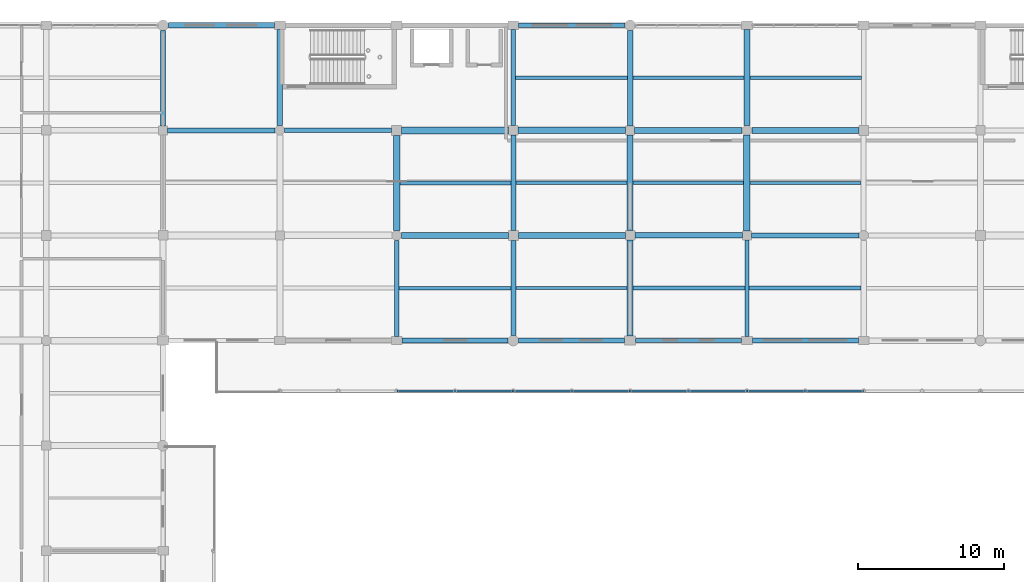
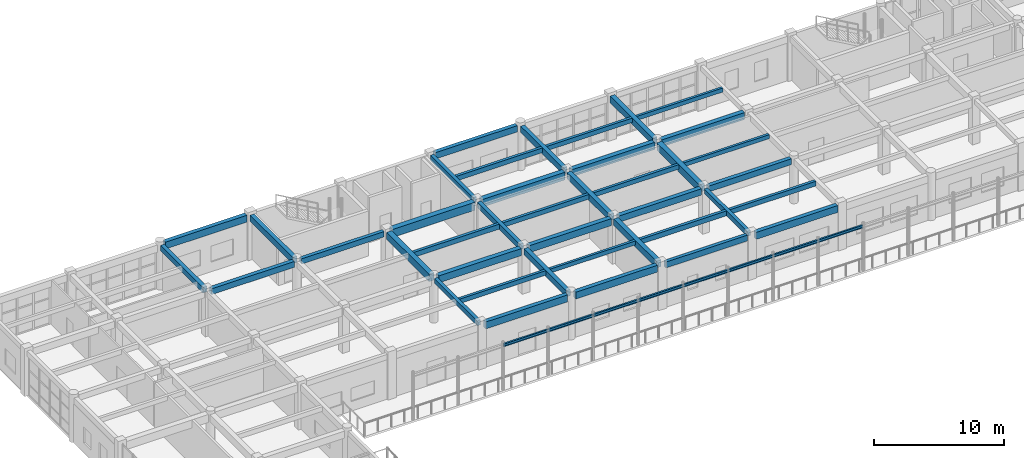
# One storey, part 78 of 160: 44 beams.
"""IFC4 building model written with IfcOpenShell, lengths in metres."""

from ifc_helpers import new_model, si_unit, direction, frame, origin, origin_2d, place, context, subcontext, project, spatial, rectangle, i_section, extrude, material, material_profile, profile_set, type_object, element, save


model = new_model("IFC4")

# Units and contexts
model_context = context("Model", 3, precision=1e-05, world=origin(), true_north=direction((0.0, 1.0)))
body_context = subcontext(model_context, "Body", "Model", "MODEL_VIEW")
ifc_project = project(units=[si_unit("LENGTHUNIT", "METRE"), si_unit("AREAUNIT", "SQUARE_METRE"), si_unit("VOLUMEUNIT", "CUBIC_METRE"), si_unit("PLANEANGLEUNIT", "RADIAN"), si_unit("MASSUNIT", "GRAM", prefix="KILO")], contexts=[model_context])

# Site, building, storey
site_placement = place(None, origin())
site = spatial("IfcSite", under=ifc_project, at=site_placement, CompositionType="ELEMENT")
building_placement = place(site_placement, origin())
building = spatial("IfcBuilding", under=site, at=building_placement, Name="Kharva Crest Polytechnic", CompositionType="ELEMENT")
storey_placement = place(building_placement, frame((0.0, 0.0, 4.5)))
storey = spatial("IfcBuildingStorey", under=building, at=storey_placement, Name="L01", CompositionType="ELEMENT", Elevation=4.5)

# Beams
ifc_material_1 = material(Name="Concrete C35/45", Category="concrete")
ifc_material_profile_1 = material_profile(ifc_material_1, rectangle(XDim=0.300048828125, YDim=0.449951171875, at=origin_2d()), Name="RECT 300 X 450")
ifc_profile_set_1 = profile_set([ifc_material_profile_1], Name="Concrete C35/45")
beam_type_1 = type_object("IfcBeamType", Name="BM-RC-300X450", PredefinedType="BEAM", material=ifc_profile_set_1)
beam_1_placement = place(storey_placement, frame((64.0, 100.675048828125, 3.9951171875), z_axis=(0.0, 1.0, 0.0), x_axis=(-1.0, 0.0, 0.0)))
element("IfcBeam", 1, at=beam_1_placement, inside=storey, type_object=beam_type_1, Name="L01 Girder 9/P-Q", PredefinedType="BEAM", context=body_context, shape_type="SweptSolid", body=[
    extrude(rectangle(XDim=0.300048828125, YDim=0.449951171875, at=origin_2d()), origin(), (0.0, 0.0, 1.0), 6.594970703125),
])
beam_2_placement = place(storey_placement, frame((88.0, 100.675048828125, 3.9951171875), z_axis=(0.0, 1.0, 0.0), x_axis=(-1.0, 0.0, 0.0)))
element("IfcBeam", 2, at=beam_2_placement, inside=storey, type_object=beam_type_1, Name="L01 Girder 12/P-Q", PredefinedType="BEAM", context=body_context, shape_type="SweptSolid", body=[
    extrude(rectangle(XDim=0.300048828125, YDim=0.449951171875, at=origin_2d()), origin(), (0.0, 0.0, 1.0), 6.614990234375),
])
ifc_material_profile_2 = material_profile(ifc_material_1, rectangle(XDim=0.300048828125, YDim=0.47998046875, at=origin_2d()), Name="RECT 300 X 480")
ifc_profile_set_2 = profile_set([ifc_material_profile_2], Name="Concrete C35/45")
beam_type_2 = type_object("IfcBeamType", Name="BM-RC-300X480", PredefinedType="BEAM", material=ifc_profile_set_2)
beam_3_placement = place(storey_placement, frame((72.0, 115.125, 3.97998046875), z_axis=(0.0, 1.0, 0.0), x_axis=(-1.0, 0.0, 0.0)))
element("IfcBeam", 3, at=beam_3_placement, inside=storey, type_object=beam_type_2, Name="L01 Girder 10/R-S", PredefinedType="BEAM", context=body_context, shape_type="SweptSolid", body=[
    extrude(rectangle(XDim=0.300048828125, YDim=0.47998046875, at=origin_2d()), origin(), (0.0, 0.0, 1.0), 6.60009765625),
])
ifc_material_profile_3 = material_profile(ifc_material_1, rectangle(XDim=0.320068359375, YDim=0.5, at=origin_2d()), Name="RECT 320 X 500")
ifc_profile_set_3 = profile_set([ifc_material_profile_3], Name="Concrete C35/45")
beam_type_3 = type_object("IfcBeamType", Name="BM-RC-320X500", PredefinedType="BEAM", material=ifc_profile_set_3)
beam_4_placement = place(storey_placement, frame((56.330078125, 114.800048828125, 3.969970703125), z_axis=(1.0, 0.0, 0.0), x_axis=(0.0, 1.0, 0.0)))
element("IfcBeam", 4, at=beam_4_placement, inside=storey, type_object=beam_type_3, Name="L01 Beam R/8-9", PredefinedType="BEAM", context=body_context, shape_type="SweptSolid", body=[
    extrude(rectangle(XDim=0.320068359375, YDim=0.5, at=origin_2d()), origin(), (0.0, 0.0, 1.0), 7.329833984375),
])
ifc_material_profile_4 = material_profile(ifc_material_1, rectangle(XDim=0.340087890625, YDim=0.52001953125, at=origin_2d()), Name="RECT 340 X 520")
ifc_profile_set_4 = profile_set([ifc_material_profile_4], Name="Concrete C35/45")
beam_type_4 = type_object("IfcBeamType", Name="BM-RC-340X520", PredefinedType="BEAM", material=ifc_profile_set_4)
beam_5_placement = place(storey_placement, frame((48.0, 115.110107421875, 3.9599609375), z_axis=(0.0, 1.0, 0.0), x_axis=(-1.0, 0.0, 0.0)))
element("IfcBeam", 5, at=beam_5_placement, inside=storey, type_object=beam_type_4, Name="L01 Girder 7/R-S", PredefinedType="BEAM", context=body_context, shape_type="SweptSolid", body=[
    extrude(rectangle(XDim=0.340087890625, YDim=0.52001953125, at=origin_2d()), origin(), (0.0, 0.0, 1.0), 6.52978515625),
])
beam_6_placement = place(storey_placement, frame((72.0, 107.93994140625, 3.9599609375), z_axis=(0.0, 1.0, 0.0), x_axis=(-1.0, 0.0, 0.0)))
element("IfcBeam", 6, at=beam_6_placement, inside=storey, type_object=beam_type_4, Name="L01 Girder 10/Q-R", PredefinedType="BEAM", context=body_context, shape_type="SweptSolid", body=[
    extrude(rectangle(XDim=0.340087890625, YDim=0.52001953125, at=origin_2d()), origin(), (0.0, 0.0, 1.0), 6.53515625),
])
ifc_material_profile_5 = material_profile(ifc_material_1, rectangle(XDim=0.35009765625, YDim=0.550048828125, at=origin_2d()), Name="RECT 350 X 550")
ifc_profile_set_5 = profile_set([ifc_material_profile_5], Name="Concrete C35/45")
beam_type_5 = type_object("IfcBeamType", Name="BM-RC-350X550", PredefinedType="BEAM", material=ifc_profile_set_5)
for number, where, z_axis, x_axis, name in (
    (7, (88.31005859375, 107.60009765625, 3.945068359375), (1.0, 0.0, 0.0), (0.0, 1.0, 0.0), "L01 Beam Q/12-13"),
    (8, (48.31005859375, 114.800048828125, 3.945068359375), (1.0, 0.0, 0.0), (0.0, 1.0, 0.0), "L01 Beam R/7-8"),
):
    element("IfcBeam", number, at=place(storey_placement, frame(where, z_axis=z_axis, x_axis=x_axis)), inside=storey, type_object=beam_type_5, Name=name, PredefinedType="BEAM", context=body_context, shape_type="SweptSolid", body=[
        extrude(rectangle(XDim=0.35009765625, YDim=0.550048828125, at=origin_2d()), origin(), (0.0, 0.0, 1.0), 7.35986328125),
    ])
ifc_material_profile_6 = material_profile(ifc_material_1, rectangle(XDim=0.360107421875, YDim=0.580078125, at=origin_2d()), Name="RECT 360 X 580")
ifc_profile_set_6 = profile_set([ifc_material_profile_6], Name="Concrete C35/45")
beam_type_6 = type_object("IfcBeamType", Name="BM-RC-360X580", PredefinedType="BEAM", material=ifc_profile_set_6)
beam_7_placement = place(storey_placement, frame((56.0, 115.1298828125, 3.929931640625), z_axis=(0.0, 1.0, 0.0), x_axis=(-1.0, 0.0, 0.0)))
element("IfcBeam", 9, at=beam_7_placement, inside=storey, type_object=beam_type_6, Name="L01 Girder 8/R-S", PredefinedType="BEAM", context=body_context, shape_type="SweptSolid", body=[
    extrude(rectangle(XDim=0.360107421875, YDim=0.580078125, at=origin_2d()), origin(), (0.0, 0.0, 1.0), 6.570068359375),
])
beam_8_placement = place(storey_placement, frame((72.0, 100.760009765625, 3.929931640625), z_axis=(0.0, 1.0, 0.0), x_axis=(-1.0, 0.0, 0.0)))
element("IfcBeam", 10, at=beam_8_placement, inside=storey, type_object=beam_type_6, Name="L01 Girder 10/P-Q", PredefinedType="BEAM", context=body_context, shape_type="SweptSolid", body=[
    extrude(rectangle(XDim=0.360107421875, YDim=0.580078125, at=origin_2d()), origin(), (0.0, 0.0, 1.0), 6.5),
])
beam_9_placement = place(storey_placement, frame((80.0, 115.110107421875, 3.929931640625), z_axis=(0.0, 1.0, 0.0), x_axis=(-1.0, 0.0, 0.0)))
element("IfcBeam", 11, at=beam_9_placement, inside=storey, type_object=beam_type_6, Name="L01 Girder 11/R-S", PredefinedType="BEAM", context=body_context, shape_type="SweptSolid", body=[
    extrude(rectangle(XDim=0.360107421875, YDim=0.580078125, at=origin_2d()), origin(), (0.0, 0.0, 1.0), 6.52978515625),
])
ifc_material_profile_7 = material_profile(ifc_material_1, rectangle(XDim=0.3798828125, YDim=0.60009765625, at=origin_2d()), Name="RECT 380 X 600")
ifc_profile_set_7 = profile_set([ifc_material_profile_7], Name="Concrete C35/45")
beam_type_7 = type_object("IfcBeamType", Name="BM-RC-380X600", PredefinedType="BEAM", material=ifc_profile_set_7)
beam_10_placement = place(storey_placement, frame((80.324951171875, 107.60009765625, 3.919921875), z_axis=(1.0, 0.0, 0.0), x_axis=(0.0, 1.0, 0.0)))
element("IfcBeam", 12, at=beam_10_placement, inside=storey, type_object=beam_type_7, Name="L01 Beam Q/11-12", PredefinedType="BEAM", context=body_context, shape_type="SweptSolid", body=[
    extrude(rectangle(XDim=0.3798828125, YDim=0.60009765625, at=origin_2d()), origin(), (0.0, 0.0, 1.0), 7.364990234375),
])
ifc_material_profile_8 = material_profile(ifc_material_1, rectangle(XDim=0.39990234375, YDim=0.580078125, at=origin_2d()), Name="RECT 400 X 580")
ifc_profile_set_8 = profile_set([ifc_material_profile_8], Name="Concrete C35/45")
beam_type_8 = type_object("IfcBeamType", Name="BM-RC-400X580", PredefinedType="BEAM", material=ifc_profile_set_8)
beam_11_placement = place(storey_placement, frame((80.0, 107.925048828125, 3.929931640625), z_axis=(0.0, 1.0, 0.0), x_axis=(-1.0, 0.0, 0.0)))
element("IfcBeam", 13, at=beam_11_placement, inside=storey, type_object=beam_type_8, Name="L01 Girder 11/Q-R", PredefinedType="BEAM", context=body_context, shape_type="SweptSolid", body=[
    extrude(rectangle(XDim=0.39990234375, YDim=0.580078125, at=origin_2d()), origin(), (0.0, 0.0, 1.0), 6.56494140625),
])
ifc_material_profile_9 = material_profile(ifc_material_1, rectangle(XDim=0.39990234375, YDim=0.6201171875, at=origin_2d()), Name="RECT 400 X 620")
ifc_profile_set_9 = profile_set([ifc_material_profile_9], Name="Concrete C35/45")
beam_type_9 = type_object("IfcBeamType", Name="BM-RC-400X620", PredefinedType="BEAM", material=ifc_profile_set_9)
beam_12_placement = place(storey_placement, frame((80.0, 100.699951171875, 3.909912109375), z_axis=(0.0, 1.0, 0.0), x_axis=(-1.0, 0.0, 0.0)))
element("IfcBeam", 14, at=beam_12_placement, inside=storey, type_object=beam_type_9, Name="L01 Girder 11/P-Q", PredefinedType="BEAM", context=body_context, shape_type="SweptSolid", body=[
    extrude(rectangle(XDim=0.39990234375, YDim=0.6201171875, at=origin_2d()), origin(), (0.0, 0.0, 1.0), 6.574951171875),
])
beam_13_placement = place(storey_placement, frame((88.0, 115.1298828125, 3.909912109375), z_axis=(0.0, 1.0, 0.0), x_axis=(-1.0, 0.0, 0.0)))
element("IfcBeam", 15, at=beam_13_placement, inside=storey, type_object=beam_type_9, Name="L01 Girder 12/R-S", PredefinedType="BEAM", context=body_context, shape_type="SweptSolid", body=[
    extrude(rectangle(XDim=0.39990234375, YDim=0.6201171875, at=origin_2d()), origin(), (0.0, 0.0, 1.0), 6.570068359375),
])
ifc_material_profile_10 = material_profile(ifc_material_1, rectangle(XDim=0.39990234375, YDim=0.64990234375, at=origin_2d()), Name="RECT 400 X 650")
ifc_profile_set_10 = profile_set([ifc_material_profile_10], Name="Concrete C35/45")
beam_type_10 = type_object("IfcBeamType", Name="BM-RC-400X650", PredefinedType="BEAM", material=ifc_profile_set_10)
beam_14_placement = place(storey_placement, frame((72.340087890625, 107.60009765625, 3.89501953125), z_axis=(1.0, 0.0, 0.0), x_axis=(0.0, 1.0, 0.0)))
element("IfcBeam", 16, at=beam_14_placement, inside=storey, type_object=beam_type_10, Name="L01 Beam Q/10-11", PredefinedType="BEAM", context=body_context, shape_type="SweptSolid", body=[
    extrude(rectangle(XDim=0.39990234375, YDim=0.64990234375, at=origin_2d()), origin(), (0.0, 0.0, 1.0), 7.3349609375),
])
beam_15_placement = place(storey_placement, frame((88.330078125, 114.800048828125, 3.89501953125), z_axis=(1.0, 0.0, 0.0), x_axis=(0.0, 1.0, 0.0)))
element("IfcBeam", 17, at=beam_15_placement, inside=storey, type_object=beam_type_10, Name="L01 Beam R/12-13", PredefinedType="BEAM", context=body_context, shape_type="SweptSolid", body=[
    extrude(rectangle(XDim=0.39990234375, YDim=0.64990234375, at=origin_2d()), origin(), (0.0, 0.0, 1.0), 7.329833984375),
])
ifc_material_profile_11 = material_profile(ifc_material_1, rectangle(XDim=0.419921875, YDim=0.659912109375, at=origin_2d()), Name="RECT 420 X 660")
ifc_profile_set_11 = profile_set([ifc_material_profile_11], Name="Concrete C35/45")
beam_type_11 = type_object("IfcBeamType", Name="BM-RC-420X660", PredefinedType="BEAM", material=ifc_profile_set_11)
beam_16_placement = place(storey_placement, frame((64.330078125, 107.60009765625, 3.889892578125), z_axis=(1.0, 0.0, 0.0), x_axis=(0.0, 1.0, 0.0)))
element("IfcBeam", 18, at=beam_16_placement, inside=storey, type_object=beam_type_11, Name="L01 Beam Q/9-10", PredefinedType="BEAM", context=body_context, shape_type="SweptSolid", body=[
    extrude(rectangle(XDim=0.419921875, YDim=0.659912109375, at=origin_2d()), origin(), (0.0, 0.0, 1.0), 7.329833984375),
])
beam_17_placement = place(storey_placement, frame((80.31005859375, 114.800048828125, 3.889892578125), z_axis=(1.0, 0.0, 0.0), x_axis=(0.0, 1.0, 0.0)))
element("IfcBeam", 19, at=beam_17_placement, inside=storey, type_object=beam_type_11, Name="L01 Beam R/11-12", PredefinedType="BEAM", context=body_context, shape_type="SweptSolid", body=[
    extrude(rectangle(XDim=0.419921875, YDim=0.659912109375, at=origin_2d()), origin(), (0.0, 0.0, 1.0), 7.35986328125),
])
ifc_material_profile_12 = material_profile(ifc_material_1, rectangle(XDim=0.449951171875, YDim=0.679931640625, at=origin_2d()), Name="RECT 450 X 680")
ifc_profile_set_12 = profile_set([ifc_material_profile_12], Name="Concrete C35/45")
beam_type_12 = type_object("IfcBeamType", Name="BM-RC-450X680", PredefinedType="BEAM", material=ifc_profile_set_12)
beam_18_placement = place(storey_placement, frame((64.0, 107.929931640625, 3.8798828125), z_axis=(0.0, 1.0, 0.0), x_axis=(-1.0, 0.0, 0.0)))
element("IfcBeam", 20, at=beam_18_placement, inside=storey, type_object=beam_type_12, Name="L01 Girder 9/Q-R", PredefinedType="BEAM", context=body_context, shape_type="SweptSolid", body=[
    extrude(rectangle(XDim=0.449951171875, YDim=0.679931640625, at=origin_2d()), origin(), (0.0, 0.0, 1.0), 6.530029296875),
])
beam_19_placement = place(storey_placement, frame((88.0, 107.909912109375, 3.8798828125), z_axis=(0.0, 1.0, 0.0), x_axis=(-1.0, 0.0, 0.0)))
element("IfcBeam", 21, at=beam_19_placement, inside=storey, type_object=beam_type_12, Name="L01 Girder 12/Q-R", PredefinedType="BEAM", context=body_context, shape_type="SweptSolid", body=[
    extrude(rectangle(XDim=0.449951171875, YDim=0.679931640625, at=origin_2d()), origin(), (0.0, 0.0, 1.0), 6.56005859375),
])
ifc_material_profile_13 = material_profile(ifc_material_1, rectangle(XDim=0.449951171875, YDim=0.719970703125, at=origin_2d()), Name="RECT 450 X 720")
ifc_profile_set_13 = profile_set([ifc_material_profile_13], Name="Concrete C35/45")
beam_type_13 = type_object("IfcBeamType", Name="BM-RC-450X720", PredefinedType="BEAM", material=ifc_profile_set_13)
beam_20_placement = place(storey_placement, frame((72.324951171875, 114.800048828125, 3.860107421875), z_axis=(1.0, 0.0, 0.0), x_axis=(0.0, 1.0, 0.0)))
element("IfcBeam", 22, at=beam_20_placement, inside=storey, type_object=beam_type_13, Name="L01 Beam R/10-11", PredefinedType="BEAM", context=body_context, shape_type="SweptSolid", body=[
    extrude(rectangle(XDim=0.449951171875, YDim=0.719970703125, at=origin_2d()), origin(), (0.0, 0.0, 1.0), 7.364990234375),
])
ifc_material_profile_14 = material_profile(ifc_material_1, rectangle(XDim=0.47998046875, YDim=0.75, at=origin_2d()), Name="RECT 480 X 750")
ifc_profile_set_14 = profile_set([ifc_material_profile_14], Name="Concrete C35/45")
beam_type_14 = type_object("IfcBeamType", Name="BM-RC-480X750", PredefinedType="BEAM", material=ifc_profile_set_14)
beam_21_placement = place(storey_placement, frame((64.340087890625, 114.800048828125, 3.844970703125), z_axis=(1.0, 0.0, 0.0), x_axis=(0.0, 1.0, 0.0)))
element("IfcBeam", 23, at=beam_21_placement, inside=storey, type_object=beam_type_14, Name="L01 Beam R/9-10", PredefinedType="BEAM", context=body_context, shape_type="SweptSolid", body=[
    extrude(rectangle(XDim=0.47998046875, YDim=0.75, at=origin_2d()), origin(), (0.0, 0.0, 1.0), 7.3349609375),
])
ifc_material_2 = material(Name="Steel S355", Category="steel")
ifc_material_profile_15 = material_profile(ifc_material_2, i_section(OverallWidth=0.14794921875, OverallDepth=0.26611328125, WebThickness=0.007568359375, FlangeThickness=0.012939453125, at=origin_2d()), Name="W250X44.8")
ifc_profile_set_15 = profile_set([ifc_material_profile_15], Name="Steel S355")
beam_type_15 = type_object("IfcBeamType", Name="BM-STL-W250X44", PredefinedType="SPANDREL", material=ifc_profile_set_15)
for number, where, z_axis, x_axis, name in (
    (24, (64.02001953125, 96.949951171875, 4.156982421875), (1.0, 0.0, 0.0), (0.0, 1.0, 0.0), "L01 North Veranda Beam 2"),
    (25, (72.02001953125, 96.949951171875, 4.156982421875), (1.0, 0.0, 0.0), (0.0, 1.0, 0.0), "L01 North Veranda Beam 3"),
    (26, (80.02001953125, 96.949951171875, 4.156982421875), (1.0, 0.0, 0.0), (0.0, 1.0, 0.0), "L01 North Veranda Beam 4"),
    (27, (88.02001953125, 96.949951171875, 4.156982421875), (1.0, 0.0, 0.0), (0.0, 1.0, 0.0), "L01 North Veranda Beam 5"),
):
    element("IfcBeam", number, at=place(storey_placement, frame(where, z_axis=z_axis, x_axis=x_axis)), inside=storey, type_object=beam_type_15, Name=name, PredefinedType="SPANDREL", context=body_context, shape_type="SweptSolid", body=[
        extrude(i_section(OverallWidth=0.14794921875, OverallDepth=0.26611328125, WebThickness=0.007568359375, FlangeThickness=0.012939453125, at=origin_2d()), origin(), (0.0, 0.0, 1.0), 7.9599609375),
    ])
ifc_material_profile_16 = material_profile(ifc_material_1, rectangle(XDim=0.219970703125, YDim=0.3798828125, at=origin_2d()), Name="RECT 220 X 380")
ifc_profile_set_16 = profile_set([ifc_material_profile_16], Name="Concrete C35/45")
beam_type_16 = type_object("IfcBeamType", Name="JS-RC-220X380", PredefinedType="JOIST", material=ifc_profile_set_16)
beam_22_placement = place(storey_placement, frame((72.179931640625, 104.0, 4.030029296875), z_axis=(1.0, 0.0, 0.0), x_axis=(0.0, 1.0, 0.0)))
element("IfcBeam", 28, at=beam_22_placement, inside=storey, type_object=beam_type_16, Name="L01 Floor Joist 13", PredefinedType="JOIST", context=body_context, shape_type="SweptSolid", body=[
    extrude(rectangle(XDim=0.219970703125, YDim=0.3798828125, at=origin_2d()), origin(), (0.0, 0.0, 1.0), 7.6201171875),
])
beam_23_placement = place(storey_placement, frame((88.22509765625, 111.199951171875, 4.030029296875), z_axis=(1.0, 0.0, 0.0), x_axis=(0.0, 1.0, 0.0)))
element("IfcBeam", 29, at=beam_23_placement, inside=storey, type_object=beam_type_16, Name="L01 Floor Joist 33", PredefinedType="JOIST", context=body_context, shape_type="SweptSolid", body=[
    extrude(rectangle(XDim=0.219970703125, YDim=0.3798828125, at=origin_2d()), origin(), (0.0, 0.0, 1.0), 7.60498046875),
])
beam_24_placement = place(storey_placement, frame((88.199951171875, 118.39990234375, 4.030029296875), z_axis=(1.0, 0.0, 0.0), x_axis=(0.0, 1.0, 0.0)))
element("IfcBeam", 30, at=beam_24_placement, inside=storey, type_object=beam_type_16, Name="L01 Floor Joist 49", PredefinedType="JOIST", context=body_context, shape_type="SweptSolid", body=[
    extrude(rectangle(XDim=0.219970703125, YDim=0.3798828125, at=origin_2d()), origin(), (0.0, 0.0, 1.0), 7.650146484375),
])
ifc_material_profile_17 = material_profile(ifc_material_1, rectangle(XDim=0.239990234375, YDim=0.419921875, at=origin_2d()), Name="RECT 240 X 420")
ifc_profile_set_17 = profile_set([ifc_material_profile_17], Name="Concrete C35/45")
beam_type_17 = type_object("IfcBeamType", Name="JS-RC-240X420", PredefinedType="JOIST", material=ifc_profile_set_17)
beam_25_placement = place(storey_placement, frame((64.14990234375, 104.0, 4.010009765625), z_axis=(1.0, 0.0, 0.0), x_axis=(0.0, 1.0, 0.0)))
element("IfcBeam", 31, at=beam_25_placement, inside=storey, type_object=beam_type_17, Name="L01 Floor Joist 12", PredefinedType="JOIST", context=body_context, shape_type="SweptSolid", body=[
    extrude(rectangle(XDim=0.239990234375, YDim=0.419921875, at=origin_2d()), origin(), (0.0, 0.0, 1.0), 7.670166015625),
])
beam_26_placement = place(storey_placement, frame((80.199951171875, 111.199951171875, 4.010009765625), z_axis=(1.0, 0.0, 0.0), x_axis=(0.0, 1.0, 0.0)))
element("IfcBeam", 32, at=beam_26_placement, inside=storey, type_object=beam_type_17, Name="L01 Floor Joist 32", PredefinedType="JOIST", context=body_context, shape_type="SweptSolid", body=[
    extrude(rectangle(XDim=0.239990234375, YDim=0.419921875, at=origin_2d()), origin(), (0.0, 0.0, 1.0), 7.574951171875),
])
beam_27_placement = place(storey_placement, frame((80.179931640625, 118.39990234375, 4.010009765625), z_axis=(1.0, 0.0, 0.0), x_axis=(0.0, 1.0, 0.0)))
element("IfcBeam", 33, at=beam_27_placement, inside=storey, type_object=beam_type_17, Name="L01 Floor Joist 48", PredefinedType="JOIST", context=body_context, shape_type="SweptSolid", body=[
    extrude(rectangle(XDim=0.239990234375, YDim=0.419921875, at=origin_2d()), origin(), (0.0, 0.0, 1.0), 7.6201171875),
])
ifc_material_profile_18 = material_profile(ifc_material_1, rectangle(XDim=0.25, YDim=0.43994140625, at=origin_2d()), Name="RECT 250 X 440")
ifc_profile_set_18 = profile_set([ifc_material_profile_18], Name="Concrete C35/45")
beam_type_18 = type_object("IfcBeamType", Name="JS-RC-250X440", PredefinedType="JOIST", material=ifc_profile_set_18)
beam_28_placement = place(storey_placement, frame((88.14990234375, 104.0, 4.0), z_axis=(1.0, 0.0, 0.0), x_axis=(0.0, 1.0, 0.0)))
element("IfcBeam", 34, at=beam_28_placement, inside=storey, type_object=beam_type_18, Name="L01 Floor Joist 15", PredefinedType="JOIST", context=body_context, shape_type="SweptSolid", body=[
    extrude(rectangle(XDim=0.25, YDim=0.43994140625, at=origin_2d()), origin(), (0.0, 0.0, 1.0), 7.670166015625),
])
beam_29_placement = place(storey_placement, frame((72.169921875, 111.199951171875, 4.0), z_axis=(1.0, 0.0, 0.0), x_axis=(0.0, 1.0, 0.0)))
element("IfcBeam", 35, at=beam_29_placement, inside=storey, type_object=beam_type_18, Name="L01 Floor Joist 31", PredefinedType="JOIST", context=body_context, shape_type="SweptSolid", body=[
    extrude(rectangle(XDim=0.25, YDim=0.43994140625, at=origin_2d()), origin(), (0.0, 0.0, 1.0), 7.630126953125),
])
beam_30_placement = place(storey_placement, frame((72.14990234375, 118.39990234375, 4.0), z_axis=(1.0, 0.0, 0.0), x_axis=(0.0, 1.0, 0.0)))
element("IfcBeam", 36, at=beam_30_placement, inside=storey, type_object=beam_type_18, Name="L01 Floor Joist 47", PredefinedType="JOIST", context=body_context, shape_type="SweptSolid", body=[
    extrude(rectangle(XDim=0.25, YDim=0.43994140625, at=origin_2d()), origin(), (0.0, 0.0, 1.0), 7.670166015625),
])
ifc_material_profile_19 = material_profile(ifc_material_1, rectangle(XDim=0.260009765625, YDim=0.4599609375, at=origin_2d()), Name="RECT 260 X 460")
ifc_profile_set_19 = profile_set([ifc_material_profile_19], Name="Concrete C35/45")
beam_type_19 = type_object("IfcBeamType", Name="JS-RC-260X460", PredefinedType="JOIST", material=ifc_profile_set_19)
beam_31_placement = place(storey_placement, frame((80.199951171875, 104.0, 3.989990234375), z_axis=(1.0, 0.0, 0.0), x_axis=(0.0, 1.0, 0.0)))
element("IfcBeam", 37, at=beam_31_placement, inside=storey, type_object=beam_type_19, Name="L01 Floor Joist 14", PredefinedType="JOIST", context=body_context, shape_type="SweptSolid", body=[
    extrude(rectangle(XDim=0.260009765625, YDim=0.4599609375, at=origin_2d()), origin(), (0.0, 0.0, 1.0), 7.650146484375),
])
beam_32_placement = place(storey_placement, frame((64.22509765625, 111.199951171875, 3.989990234375), z_axis=(1.0, 0.0, 0.0), x_axis=(0.0, 1.0, 0.0)))
element("IfcBeam", 38, at=beam_32_placement, inside=storey, type_object=beam_type_19, Name="L01 Floor Joist 30", PredefinedType="JOIST", context=body_context, shape_type="SweptSolid", body=[
    extrude(rectangle(XDim=0.260009765625, YDim=0.4599609375, at=origin_2d()), origin(), (0.0, 0.0, 1.0), 7.60498046875),
])
ifc_material_profile_20 = material_profile(ifc_material_1, rectangle(XDim=0.300048828125, YDim=0.550048828125, at=origin_2d()), Name="RECT 300 X 550")
ifc_profile_set_20 = profile_set([ifc_material_profile_20], Name="Concrete C35/45")
beam_type_20 = type_object("IfcBeamType", Name="SP-RC-300X550", PredefinedType="SPANDREL", material=ifc_profile_set_20)
beam_33_placement = place(storey_placement, frame((80.375, 100.39990234375, 3.945068359375), z_axis=(1.0, 0.0, 0.0), x_axis=(0.0, 1.0, 0.0)))
element("IfcBeam", 39, at=beam_33_placement, inside=storey, type_object=beam_type_20, Name="L01 Beam P/11-12", PredefinedType="SPANDREL", context=body_context, shape_type="SweptSolid", body=[
    extrude(rectangle(XDim=0.300048828125, YDim=0.550048828125, at=origin_2d()), origin(), (0.0, 0.0, 1.0), 7.25),
])
ifc_material_profile_21 = material_profile(ifc_material_1, rectangle(XDim=0.340087890625, YDim=0.60009765625, at=origin_2d()), Name="RECT 340 X 600")
ifc_profile_set_21 = profile_set([ifc_material_profile_21], Name="Concrete C35/45")
beam_type_21 = type_object("IfcBeamType", Name="SP-RC-340X600", PredefinedType="SPANDREL", material=ifc_profile_set_21)
beam_34_placement = place(storey_placement, frame((72.360107421875, 122.0, 3.919921875), z_axis=(1.0, 0.0, 0.0), x_axis=(0.0, 1.0, 0.0)))
element("IfcBeam", 40, at=beam_34_placement, inside=storey, type_object=beam_type_21, Name="L01 Beam S/10-11", PredefinedType="SPANDREL", context=body_context, shape_type="SweptSolid", body=[
    extrude(rectangle(XDim=0.340087890625, YDim=0.60009765625, at=origin_2d()), origin(), (0.0, 0.0, 1.0), 7.27978515625),
])
ifc_material_profile_22 = material_profile(ifc_material_1, rectangle(XDim=0.360107421875, YDim=0.64990234375, at=origin_2d()), Name="RECT 360 X 650")
ifc_profile_set_22 = profile_set([ifc_material_profile_22], Name="Concrete C35/45")
beam_type_22 = type_object("IfcBeamType", Name="SP-RC-360X650", PredefinedType="SPANDREL", material=ifc_profile_set_22)
beam_35_placement = place(storey_placement, frame((64.360107421875, 100.39990234375, 3.89501953125), z_axis=(1.0, 0.0, 0.0), x_axis=(0.0, 1.0, 0.0)))
element("IfcBeam", 41, at=beam_35_placement, inside=storey, type_object=beam_type_22, Name="L01 Beam P/9-10", PredefinedType="SPANDREL", context=body_context, shape_type="SweptSolid", body=[
    extrude(rectangle(XDim=0.360107421875, YDim=0.64990234375, at=origin_2d()), origin(), (0.0, 0.0, 1.0), 7.27978515625),
])
for number, where, z_axis, x_axis, name in (
    (42, (72.360107421875, 100.39990234375, 3.89501953125), (1.0, 0.0, 0.0), (0.0, 1.0, 0.0), "L01 Beam P/10-11"),
    (43, (88.375, 100.39990234375, 3.89501953125), (1.0, 0.0, 0.0), (0.0, 1.0, 0.0), "L01 Beam P/12-13"),
    (44, (48.360107421875, 122.0, 3.89501953125), (1.0, 0.0, 0.0), (0.0, 1.0, 0.0), "L01 Beam S/7-8"),
):
    element("IfcBeam", number, at=place(storey_placement, frame(where, z_axis=z_axis, x_axis=x_axis)), inside=storey, type_object=beam_type_22, Name=name, PredefinedType="SPANDREL", context=body_context, shape_type="SweptSolid", body=[
        extrude(rectangle(XDim=0.360107421875, YDim=0.64990234375, at=origin_2d()), origin(), (0.0, 0.0, 1.0), 7.264892578125),
    ])

save(model, "model.ifc")
